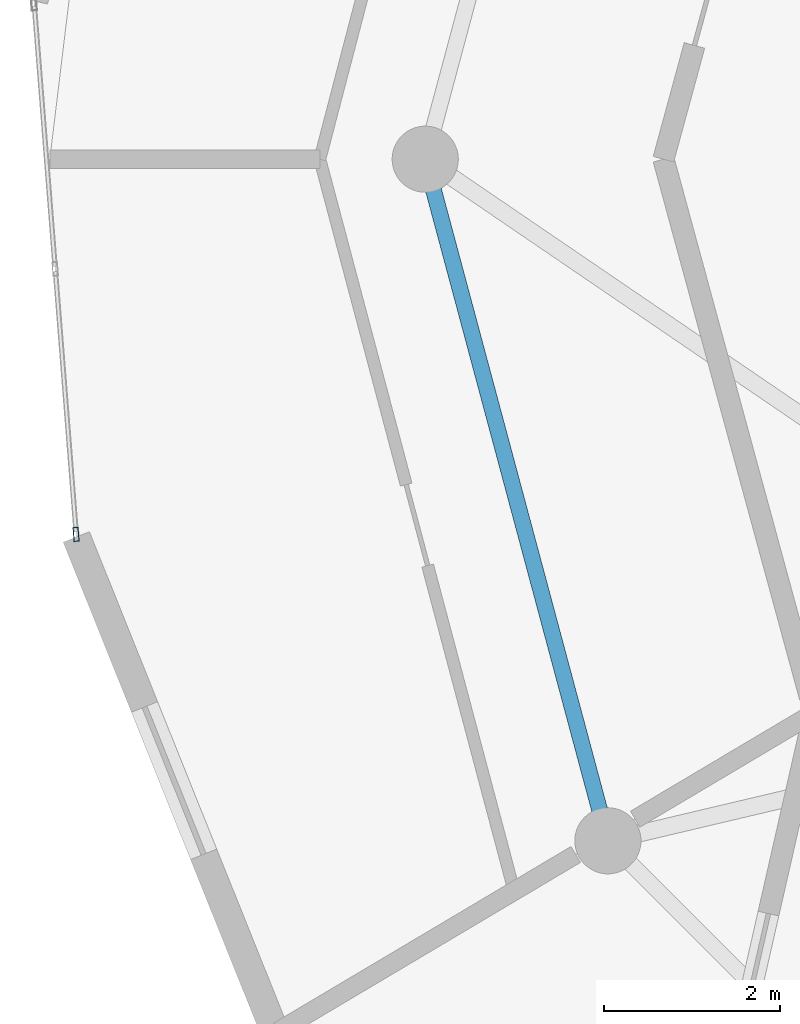
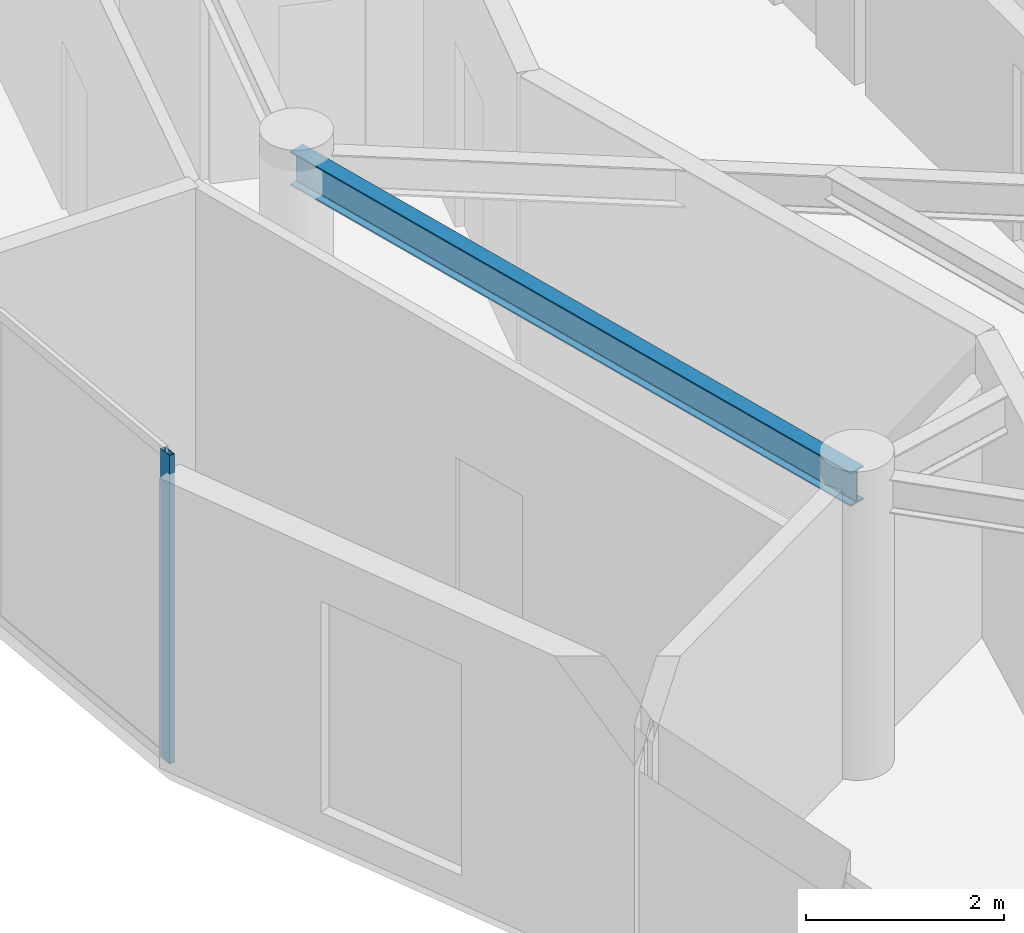
# One storey, part 3 of 22: 1 beam, 1 member, 1 element without a shape of its own.
"""IFC4 building model written with IfcOpenShell, lengths in metres."""

from ifc_helpers import new_model, si_unit, direction, frame, origin, origin_2d, place, context, subcontext, project, spatial, hollow_rectangle, i_section, extrude, source, transform, mapped, material, layer, layer_set, material_profile, profile_set, type_object, element, aggregate, save


model = new_model("IFC4")

# Units and contexts
model_context = context("Model", 3, precision=1e-05, world=origin(), true_north=direction((0.0, 1.0)))
body_context = subcontext(model_context, "Body", "Model", "MODEL_VIEW")
ifc_project = project(units=[si_unit("LENGTHUNIT", "METRE"), si_unit("AREAUNIT", "SQUARE_METRE"), si_unit("VOLUMEUNIT", "CUBIC_METRE"), si_unit("PLANEANGLEUNIT", "RADIAN"), si_unit("MASSUNIT", "GRAM", prefix="KILO")], contexts=[model_context])

# Site, building, storey
site_placement = place(None, origin())
site = spatial("IfcSite", under=ifc_project, at=site_placement, CompositionType="ELEMENT")
building_placement = place(site_placement, origin())
building = spatial("IfcBuilding", under=site, at=building_placement, Name="Solvirekh Grand Hotel", CompositionType="ELEMENT")
storey_placement = place(building_placement, frame((0.0, 0.0, 243.0)))
storey = spatial("IfcBuildingStorey", under=building, at=storey_placement, Name="L63", CompositionType="ELEMENT", Elevation=243.0)

# Beam
ifc_material_1 = material(Name="Steel S355", Category="steel")
ifc_material_profile_1 = material_profile(ifc_material_1, i_section(OverallWidth=0.180908203125, OverallDepth=0.4169921875, WebThickness=0.010009765625, FlangeThickness=0.01611328125, FilletRadius=0.011962890625, at=origin_2d()), Name="W410X85")
ifc_profile_set_1 = profile_set([ifc_material_profile_1], Name="Steel S355")
beam_type = type_object("IfcBeamType", Name="Spandrel_Ring_W410", PredefinedType="SPANDREL", material=ifc_profile_set_1)
beam_placement = place(storey_placement, frame((-15.449951171875, 0.0, 3.362060546875), z_axis=(0.258834757072, -0.965921616143, 0.0), x_axis=(0.965921616143, 0.258834757072, 0.0)))
element("IfcBeam", 1, at=beam_placement, inside=storey, type_object=beam_type, Name="L63 perimeter spandrel beam 7", PredefinedType="SPANDREL", context=body_context, shape_type="SweptSolid", body=[
    extrude(i_section(OverallWidth=0.180908203125, OverallDepth=0.4169921875, WebThickness=0.010009765625, FlangeThickness=0.01611328125, FilletRadius=0.011962890625, at=origin_2d()), origin(), (0.0, 0.0, 1.0), 7.99755859375),
])

# Curtain wall, member
ifc_material_2 = material(Name="Anodized Bronze Aluminium 6063-T6", Category="aluminium")
ifc_layer = layer(ifc_material_2, 0.159912109375)
ifc_layer_set = layer_set([ifc_layer], Name="Anodized Bronze Aluminium 6063-T6")
curtain_wall_type = type_object("IfcCurtainWallType", Name="CW_Sys4_HighZoneFlushBronzeCW", PredefinedType="NOTDEFINED", material=ifc_layer_set)
curtain_wall_placement = place(storey_placement, origin())
curtain_wall = element("IfcCurtainWall", 2, at=curtain_wall_placement, inside=storey, type_object=curtain_wall_type, Name="L63 unitised bronze-glass curtain wall CW-L63-C15", PredefinedType="NOTDEFINED")
ifc_material_profile_2 = material_profile(ifc_material_2, hollow_rectangle(XDim=0.06005859375, YDim=0.159912109375, WallThickness=0.0048828125, at=origin_2d()), Name="ALU RHS 160X60X5")
ifc_profile_set_2 = profile_set([ifc_material_profile_2], Name="Anodized Bronze Aluminium 6063-T6")
member_type = type_object("IfcMemberType", Name="CWMullion_Sys4", PredefinedType="MULLION", material=ifc_profile_set_2)
shared_shape = source(origin(), body_context, "Body", "SweptSolid", [
    extrude(hollow_rectangle(XDim=0.06005859375, YDim=0.159912109375, WallThickness=0.0048828125, at=origin_2d()), origin(), (0.0, 0.0, 1.0), 3.800048828125),
])
member_placement = place(storey_placement, frame((-19.407470703125, -4.252197265625, 0.0), z_axis=(0.0, 0.0, 1.0), x_axis=(0.996869293159, 0.079067138283, 0.0)))
member = element("IfcMember", 3, at=member_placement, type_object=member_type, Name="U04 mullion 3", PredefinedType="MULLION", context=body_context, shape_type="MappedRepresentation", body=[
    mapped(shared_shape, transform((0.0, 0.0, 0.0), x_axis=(1.0, 0.0, 0.0), y_axis=(0.0, 1.0, 0.0), z_axis=(0.0, 0.0, 1.0), scale=1.0)),
])
aggregate(curtain_wall, [member])

save(model, "model.ifc")
